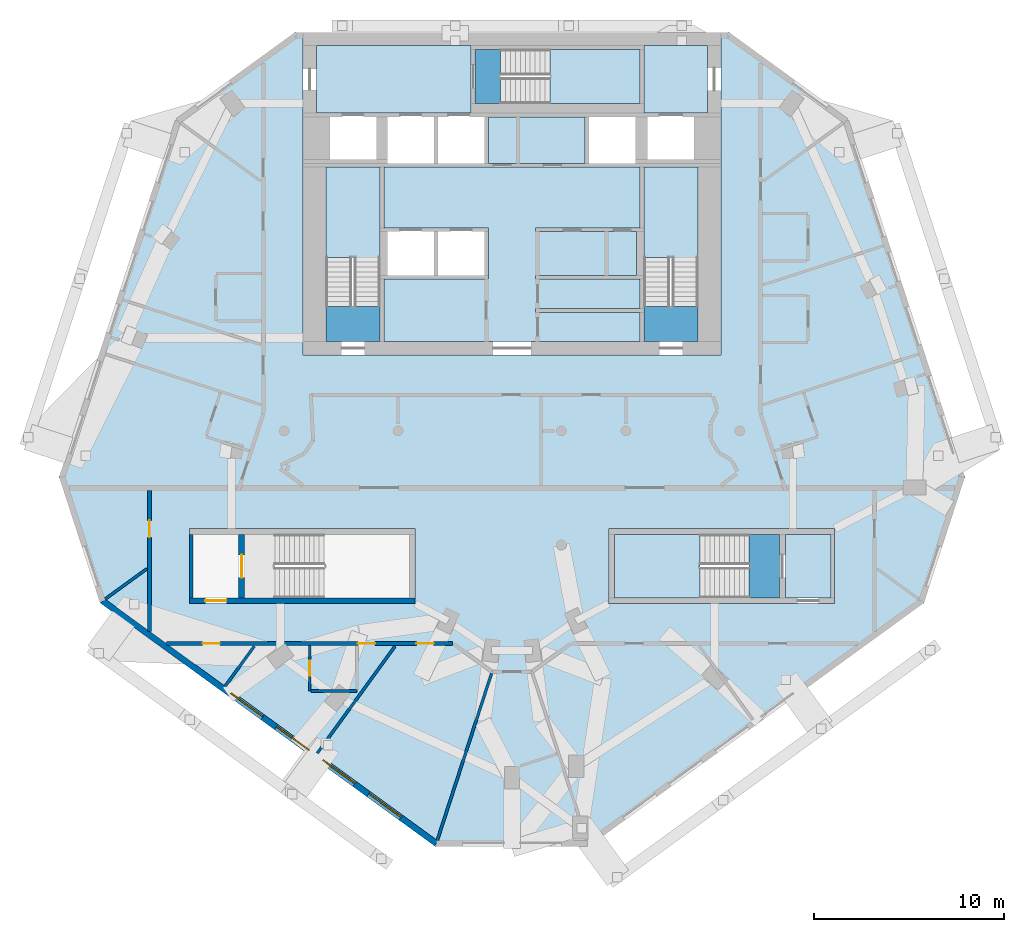
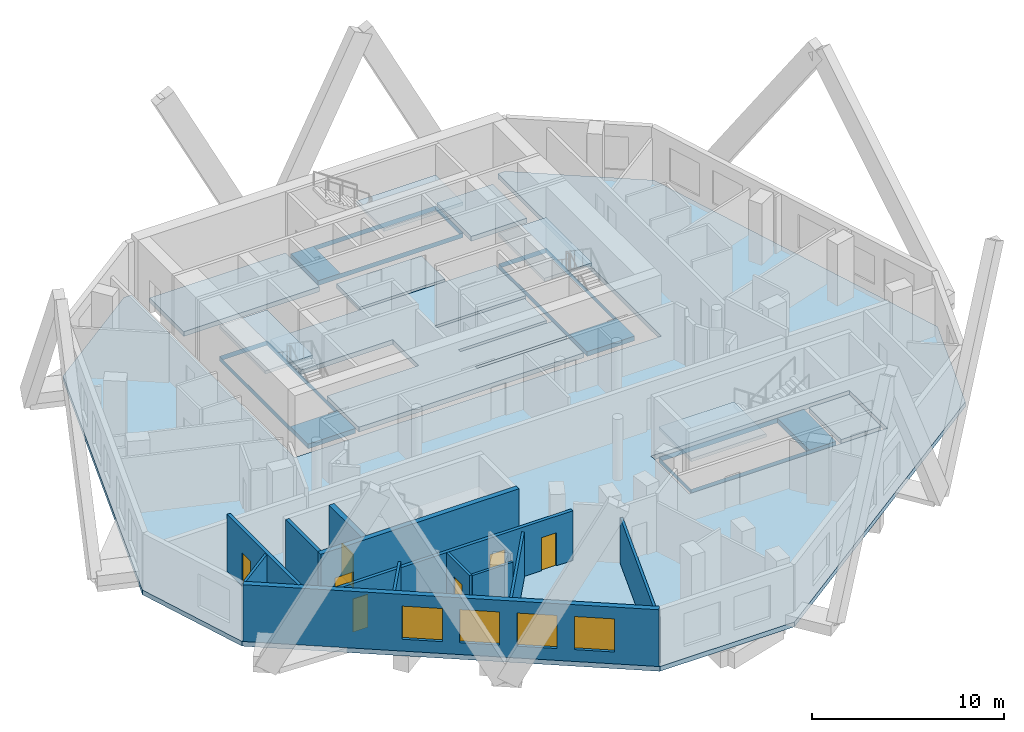
# One storey, part 3 of 10: 14 slabs, 12 walls, 7 doors, 4 windows, 11 openings, 4 elements without a shape of their own.
"""IFC4 building model written with IfcOpenShell, lengths in metres."""

from ifc_helpers import new_model, si_unit, direction, frame, frame_2d, origin, place, context, subcontext, project, spatial, polyline, rectangle, outline, extrude, material, layer, layer_set, type_object, element, fill, aggregate, save


model = new_model("IFC4")

# Units and contexts
model_context = context("Model", 3, precision=1e-05, world=origin(), true_north=direction((0.0, 1.0)))
body_context = subcontext(model_context, "Body", "Model", "MODEL_VIEW")
ifc_project = project(units=[si_unit("LENGTHUNIT", "METRE"), si_unit("AREAUNIT", "SQUARE_METRE"), si_unit("VOLUMEUNIT", "CUBIC_METRE"), si_unit("PLANEANGLEUNIT", "RADIAN"), si_unit("MASSUNIT", "GRAM", prefix="KILO")], contexts=[model_context])

# Site, building, storey
site_placement = place(None, origin())
site = spatial("IfcSite", under=ifc_project, at=site_placement, CompositionType="ELEMENT")
building_placement = place(site_placement, origin())
building = spatial("IfcBuilding", under=site, at=building_placement, Name="White Candle Pilgrim Tower", CompositionType="ELEMENT")
storey_placement = place(building_placement, frame((0.0, 0.0, 248.300048828125)))
storey = spatial("IfcBuildingStorey", under=building, at=storey_placement, Name="L58", CompositionType="ELEMENT", Elevation=248.300048828125)

# Slabs
ifc_material_1 = material(Name="Concrete C40/50", Category="concrete")
ifc_layer_1 = layer(ifc_material_1, 0.300048828125)
ifc_layer_set_1 = layer_set([ifc_layer_1], Name="Core floor slab 300 mm Concrete C40/50")
slab_type_1 = type_object("IfcSlabType", Name="Core floor slab 300 mm Concrete C40/50", PredefinedType="FLOOR", material=ifc_layer_set_1)
slab_1_placement = place(storey_placement, frame((0.0, 0.0, -0.300048828125)))
element("IfcSlab", 1, at=slab_1_placement, inside=storey, type_object=slab_type_1, Name="CF-L58-03", PredefinedType="FLOOR", context=body_context, shape_type="SweptSolid", body=[
    extrude(outline(polyline([(75.39990234375, 58.199951171875), (75.39990234375, 61.550048828125), (84.10009765625, 61.550048828125), (84.10009765625, 58.199951171875), (75.39990234375, 58.199951171875)]), holes=[polyline([(82.498046875, 61.548095703125), (75.402099609375, 61.548095703125), (75.402099609375, 58.201904296875), (82.498046875, 58.201904296875), (82.498046875, 61.548095703125)])]), origin(), (0.0, 0.0, 1.0), 0.300048828125),
])
slab_2_placement = place(storey_placement, frame((0.0, 0.0, -0.300048828125)))
element("IfcSlab", 2, at=slab_2_placement, inside=storey, type_object=slab_type_1, Name="CF-L58-04", PredefinedType="FLOOR", context=body_context, shape_type="SweptSolid", body=[
    extrude(outline(polyline([(86.800048828125, 58.199951171875), (84.39990234375, 58.199951171875), (84.39990234375, 61.550048828125), (86.800048828125, 61.550048828125), (86.800048828125, 58.199951171875)])), origin(), (0.0, 0.0, 1.0), 0.300048828125),
])
slab_3_placement = place(storey_placement, frame((0.0, 0.0, -0.300048828125)))
element("IfcSlab", 3, at=slab_3_placement, inside=storey, type_object=slab_type_1, Name="CF-L58-05", PredefinedType="FLOOR", context=body_context, shape_type="SweptSolid", body=[
    extrude(outline(polyline([(76.949951171875, 71.699951171875), (76.949951171875, 73.25), (76.949951171875, 73.449951171875), (76.949951171875, 75.0), (76.949951171875, 75.199951171875), (76.949951171875, 77.5), (76.949951171875, 77.699951171875), (76.949951171875, 80.89990234375), (79.800048828125, 80.89990234375), (79.800048828125, 71.699951171875), (76.949951171875, 71.699951171875)]), holes=[polyline([(76.951904296875, 73.552001953125), (79.798095703125, 73.552001953125), (79.798095703125, 80.89794921875), (76.951904296875, 80.89794921875), (76.951904296875, 73.552001953125)])]), origin(), (0.0, 0.0, 1.0), 0.300048828125),
])
slab_4_placement = place(storey_placement, frame((0.0, 0.0, -0.300048828125)))
element("IfcSlab", 4, at=slab_4_placement, inside=storey, type_object=slab_type_1, Name="CF-L58-06", PredefinedType="FLOOR", context=body_context, shape_type="SweptSolid", body=[
    extrude(outline(polyline([(63.25, 71.699951171875), (63.25, 75.0), (68.75, 75.0), (68.75, 75.199951171875), (68.75, 77.5), (68.75, 77.699951171875), (63.25, 77.699951171875), (63.25, 80.89990234375), (76.75, 80.89990234375), (76.75, 77.699951171875), (71.25, 77.699951171875), (71.25, 77.5), (76.550048828125, 77.5), (76.550048828125, 75.199951171875), (71.25, 75.199951171875), (71.25, 75.0), (76.75, 75.0), (76.75, 73.449951171875), (71.25, 73.449951171875), (71.25, 73.25), (76.75, 73.25), (76.75, 71.699951171875), (63.25, 71.699951171875)])), origin(), (0.0, 0.0, 1.0), 0.300048828125),
])
slab_5_placement = place(storey_placement, frame((0.0, 0.0, -0.300048828125)))
element("IfcSlab", 5, at=slab_5_placement, inside=storey, type_object=slab_type_1, Name="CF-L58-07", PredefinedType="FLOOR", context=body_context, shape_type="SweptSolid", body=[
    extrude(outline(polyline([(60.199951171875, 71.699951171875), (60.199951171875, 80.89990234375), (63.050048828125, 80.89990234375), (63.050048828125, 77.699951171875), (63.050048828125, 77.5), (63.050048828125, 75.199951171875), (63.050048828125, 75.0), (63.050048828125, 71.699951171875), (60.199951171875, 71.699951171875)]), holes=[polyline([(60.201904296875, 73.552001953125), (63.048095703125, 73.552001953125), (63.048095703125, 80.89794921875), (60.201904296875, 80.89794921875), (60.201904296875, 73.552001953125)])]), origin(), (0.0, 0.0, 1.0), 0.300048828125),
])
slab_6_placement = place(storey_placement, frame((0.0, 0.0, -0.300048828125)))
element("IfcSlab", 6, at=slab_6_placement, inside=storey, type_object=slab_type_1, Name="CF-L58-08", PredefinedType="FLOOR", context=body_context, shape_type="SweptSolid", body=[
    extrude(outline(polyline([(59.699951171875, 87.300048828125), (67.85009765625, 87.300048828125), (67.85009765625, 87.10009765625), (67.85009765625, 84.25), (67.85009765625, 83.75), (59.699951171875, 83.75), (59.699951171875, 87.300048828125)])), origin(), (0.0, 0.0, 1.0), 0.300048828125),
])
slab_7_placement = place(storey_placement, frame((0.0, 0.0, -0.300048828125)))
element("IfcSlab", 7, at=slab_7_placement, inside=storey, type_object=slab_type_1, Name="CF-L58-09", PredefinedType="FLOOR", context=body_context, shape_type="SweptSolid", body=[
    extrude(outline(polyline([(80.300048828125, 87.300048828125), (80.300048828125, 83.75), (76.949951171875, 83.75), (76.949951171875, 84.25), (76.949951171875, 87.10009765625), (76.949951171875, 87.300048828125), (80.300048828125, 87.300048828125)])), origin(), (0.0, 0.0, 1.0), 0.300048828125),
])
slab_8_placement = place(storey_placement, frame((0.0, 0.0, -0.300048828125)))
element("IfcSlab", 8, at=slab_8_placement, inside=storey, type_object=slab_type_1, Name="CF-L58-10", PredefinedType="FLOOR", context=body_context, shape_type="SweptSolid", body=[
    extrude(outline(polyline([(68.75, 81.10009765625), (68.75, 83.550048828125), (73.85009765625, 83.550048828125), (73.85009765625, 81.10009765625), (68.75, 81.10009765625)])), origin(), (0.0, 0.0, 1.0), 0.300048828125),
])
slab_9_placement = place(storey_placement, frame((0.0, 0.0, -0.300048828125)))
element("IfcSlab", 9, at=slab_9_placement, inside=storey, type_object=slab_type_1, Name="CF-L58-11", PredefinedType="FLOOR", context=body_context, shape_type="SweptSolid", body=[
    extrude(outline(polyline([(68.050048828125, 87.10009765625), (76.75, 87.10009765625), (76.75, 84.25), (68.050048828125, 84.25), (68.050048828125, 87.10009765625)]), holes=[polyline([(69.402099609375, 84.251953125), (76.748046875, 84.251953125), (76.748046875, 87.097900390625), (69.402099609375, 87.097900390625), (69.402099609375, 84.251953125)])]), origin(), (0.0, 0.0, 1.0), 0.300048828125),
])
ifc_layer_2 = layer(ifc_material_1, 0.300048828125)
ifc_layer_set_2 = layer_set([ifc_layer_2], Name="Floor slab 300 REI 240")
slab_type_2 = type_object("IfcSlabType", Name="Floor slab 300 REI 240", PredefinedType="FLOOR", material=ifc_layer_set_2)
slab_10_placement = place(storey_placement, frame((0.0, 0.0, -0.300048828125)))
element("IfcSlab", 10, at=slab_10_placement, inside=storey, type_object=slab_type_2, Name="L58 floor slab", PredefinedType="FLOOR", context=body_context, shape_type="SweptSolid", body=[
    extrude(outline(polyline([(65.959228515625, 45.106689453125), (74.040771484375, 45.106689453125), (91.706298828125, 57.94140625), (93.85986328125, 64.569091796875), (87.73291015625, 83.42578125), (81.43701171875, 88.0), (81.0, 88.0), (81.0, 71.0), (59.0, 71.0), (59.0, 88.0), (58.56298828125, 88.0), (52.26708984375, 83.42578125), (46.14013671875, 64.569091796875), (48.293701171875, 57.94140625), (65.959228515625, 45.106689453125)]), holes=[polyline([(53.0, 57.89990234375), (53.0, 61.85009765625), (64.89990234375, 61.85009765625), (64.89990234375, 57.89990234375), (53.0, 57.89990234375)]), polyline([(75.10009765625, 57.89990234375), (75.10009765625, 61.85009765625), (87.0, 61.85009765625), (87.0, 57.89990234375), (75.10009765625, 57.89990234375)])]), origin(), (0.0, 0.0, 1.0), 0.300048828125),
])

# Stair, slab
stair_type_1 = type_object("IfcStairType", Name="Exit stair 1 flight width 1350 mm", PredefinedType="HALF_TURN_STAIR", material=ifc_material_1)
stair_1_placement = place(storey_placement, origin())
stair_1 = element("IfcStair", 11, at=stair_1_placement, inside=storey, type_object=stair_type_1, Name="L58 stair 1", PredefinedType="NOTDEFINED")
ifc_layer_3 = layer(ifc_material_1, 0.199951171875)
ifc_layer_set_3 = layer_set([ifc_layer_3], Name="Stair landing Concrete C40/50")
slab_type_3 = type_object("IfcSlabType", Name="Stair landing Concrete C40/50", PredefinedType="LANDING", material=ifc_layer_set_3)
slab_11_placement = place(storey_placement, frame((0.0, 0.0, 1.75)))
slab_11 = element("IfcSlab", 12, at=slab_11_placement, type_object=slab_type_3, Name="ST1 landing 1", PredefinedType="LANDING", context=body_context, shape_type="SweptSolid", body=[
    extrude(outline(polyline([(63.052001953125, 76.14794921875), (60.197998046875, 76.14794921875), (60.197998046875, 80.902099609375), (63.052001953125, 80.902099609375), (63.052001953125, 76.14794921875)])), origin(), (0.0, 0.0, 1.0), 0.199951171875),
])
aggregate(stair_1, [slab_11])

stair_type_2 = type_object("IfcStairType", Name="Exit stair 2 flight width 1350 mm", PredefinedType="HALF_TURN_STAIR", material=ifc_material_1)
stair_2_placement = place(storey_placement, origin())
stair_2 = element("IfcStair", 13, at=stair_2_placement, inside=storey, type_object=stair_type_2, Name="L58 stair 2", PredefinedType="NOTDEFINED")
slab_12_placement = place(storey_placement, frame((0.0, 0.0, 1.75)))
slab_12 = element("IfcSlab", 14, at=slab_12_placement, type_object=slab_type_3, Name="ST2 landing 1", PredefinedType="LANDING", context=body_context, shape_type="SweptSolid", body=[
    extrude(outline(polyline([(79.802001953125, 76.14794921875), (76.947998046875, 76.14794921875), (76.947998046875, 80.902099609375), (79.802001953125, 80.902099609375), (79.802001953125, 76.14794921875)])), origin(), (0.0, 0.0, 1.0), 0.199951171875),
])
aggregate(stair_2, [slab_12])

stair_type_3 = type_object("IfcStairType", Name="Exit stair 3 flight width 1350 mm", PredefinedType="HALF_TURN_STAIR", material=ifc_material_1)
stair_3_placement = place(storey_placement, origin())
stair_3 = element("IfcStair", 15, at=stair_3_placement, inside=storey, type_object=stair_type_3, Name="L58 stair 3", PredefinedType="NOTDEFINED")
slab_13_placement = place(storey_placement, frame((0.0, 0.0, 1.75)))
slab_13 = element("IfcSlab", 16, at=slab_13_placement, type_object=slab_type_3, Name="ST3 landing 1", PredefinedType="LANDING", context=body_context, shape_type="SweptSolid", body=[
    extrude(outline(polyline([(71.998046875, 84.248046875), (71.998046875, 87.10205078125), (76.751953125, 87.10205078125), (76.751953125, 84.248046875), (71.998046875, 84.248046875)])), origin(), (0.0, 0.0, 1.0), 0.199951171875),
])
aggregate(stair_3, [slab_13])

stair_type_4 = type_object("IfcStairType", Name="Exit stair 4 flight width 1600 mm", PredefinedType="HALF_TURN_STAIR", material=ifc_material_1)
stair_4_placement = place(storey_placement, origin())
stair_4 = element("IfcStair", 17, at=stair_4_placement, inside=storey, type_object=stair_type_4, Name="L58 stair 4", PredefinedType="NOTDEFINED")
slab_14_placement = place(storey_placement, frame((0.0, 0.0, 1.75)))
slab_14 = element("IfcSlab", 18, at=slab_14_placement, type_object=slab_type_3, Name="ST4 landing 1", PredefinedType="LANDING", context=body_context, shape_type="SweptSolid", body=[
    extrude(outline(polyline([(79.902099609375, 61.552001953125), (79.902099609375, 58.197998046875), (75.39794921875, 58.197998046875), (75.39794921875, 61.552001953125), (79.902099609375, 61.552001953125)])), origin(), (0.0, 0.0, 1.0), 0.199951171875),
])
aggregate(stair_4, [slab_14])

# Wall
ifc_material_2 = material(Name="Concrete C50/60", Category="concrete")
ifc_layer_4 = layer(ifc_material_2, 0.199951171875)
ifc_layer_set_4 = layer_set([ifc_layer_4], Name="Core wall 200 mm Concrete C50/60")
wall_type_1 = type_object("IfcWallType", Name="Core wall 200 mm Concrete C50/60", PredefinedType="SHEAR", material=ifc_layer_set_4)
wall_1_placement = place(storey_placement, frame((53.10009765625, 58.199951171875, 0.0), z_axis=(0.0, 0.0, 1.0), x_axis=(0.0, 1.0, 0.0)))
element("IfcWall", 19, at=wall_1_placement, inside=storey, type_object=wall_type_1, Name="WL-L58-C03", PredefinedType="SHEAR", context=body_context, shape_type="SweptSolid", body=[
    extrude(rectangle(XDim=3.35009765625, YDim=0.199951171875, at=frame_2d((1.675048828125, 0.0))), origin(), (0.0, 0.0, 1.0), 3.89990234375),
])

# Wall, openings, doors
ifc_material_3 = material(Name="Gypsum board on steel studs", Category="steel")
ifc_layer_5 = layer(ifc_material_3, 0.199951171875)
ifc_layer_set_5 = layer_set([ifc_layer_5], Name="Corridor wall 200 mm EI 45")
wall_type_2 = type_object("IfcWallType", Name="Corridor wall 200 mm EI 45", PredefinedType="PARTITIONING", material=ifc_layer_set_5)
wall_2_placement = place(storey_placement, frame((66.860595703125, 55.800048828125, 0.0), z_axis=(0.0, 0.0, 1.0), x_axis=(-1.0, 0.0, 0.0)))
wall_2 = element("IfcWall", 20, at=wall_2_placement, inside=storey, type_object=wall_type_2, Name="WL-L58-P011", PredefinedType="PARTITIONING", context=body_context, shape_type="SweptSolid", body=[
    extrude(rectangle(XDim=15.074951171875, YDim=0.199951171875, at=frame_2d((7.53759765625, 0.0))), origin(), (0.0, 0.0, 1.0), 3.14990234375),
])
opening_1_placement = place(wall_2_placement, frame((12.25537109375, 0.0, 0.0)))
opening_1 = element("IfcOpeningElement", 21, at=opening_1_placement, cuts=wall_2, Name="Opening T18-104", PredefinedType="OPENING", context=body_context, shape_type="SweptSolid", body=[
    extrude(rectangle(XDim=0.89990234375, YDim=2.10009765625, at=frame_2d((0.449951171875, 1.050048828125))), frame((0.0, 0.10986328125, 0.0), z_axis=(0.0, -1.0, 0.0), x_axis=(1.0, 0.0, 0.0)), (0.0, 0.0, 1.0), 0.219970703125),
])
opening_2_placement = place(wall_2_placement, frame((4.07763671875, 0.0, 0.0)))
opening_2 = element("IfcOpeningElement", 22, at=opening_2_placement, cuts=wall_2, Name="Opening T18-106", PredefinedType="OPENING", context=body_context, shape_type="SweptSolid", body=[
    extrude(rectangle(XDim=0.89990234375, YDim=2.10009765625, at=frame_2d((0.449951171875, 1.050048828125))), frame((0.0, 0.10986328125, 0.0), z_axis=(0.0, -1.0, 0.0), x_axis=(1.0, 0.0, 0.0)), (0.0, 0.0, 1.0), 0.219970703125),
])
opening_3_placement = place(wall_2_placement, frame((0.993408203125, 0.0, 0.0)))
opening_3 = element("IfcOpeningElement", 23, at=opening_3_placement, cuts=wall_2, Name="Opening T18-107", PredefinedType="OPENING", context=body_context, shape_type="SweptSolid", body=[
    extrude(rectangle(XDim=0.89990234375, YDim=2.10009765625, at=frame_2d((0.449951171875, 1.050048828125))), frame((0.0, 0.10986328125, 0.0), z_axis=(0.0, -1.0, 0.0), x_axis=(1.0, 0.0, 0.0)), (0.0, 0.0, 1.0), 0.219970703125),
])
ifc_material_4 = material(Name="Steel door leaf", Category="steel")
door_type_1 = type_object("IfcDoorType", Name="Fire door 900 x 2100 EI 30", OperationType="NOTDEFINED", PredefinedType="DOOR", material=ifc_material_4)
door_1_placement = place(opening_1_placement, origin())
door_1 = element("IfcDoor", 24, at=door_1_placement, inside=storey, type_object=door_type_1, Name="Door T18-104", OperationType="SINGLE_SWING_RIGHT", OverallHeight=2.10009765625, OverallWidth=0.89990234375, PredefinedType="DOOR", context=body_context, shape_type="SweptSolid", body=[
    extrude(rectangle(XDim=0.89990234375, YDim=2.10009765625, at=frame_2d((0.449951171875, 1.050048828125))), frame((0.0, 0.02490234375, 0.0), z_axis=(0.0, -1.0, 0.0), x_axis=(1.0, 0.0, 0.0)), (0.0, 0.0, 1.0), 0.050048828125),
])
fill(opening_1, door_1)
door_2_placement = place(opening_2_placement, origin())
door_2 = element("IfcDoor", 25, at=door_2_placement, inside=storey, type_object=door_type_1, Name="Door T18-106", OperationType="SINGLE_SWING_RIGHT", OverallHeight=2.10009765625, OverallWidth=0.89990234375, PredefinedType="DOOR", context=body_context, shape_type="SweptSolid", body=[
    extrude(rectangle(XDim=0.89990234375, YDim=2.10009765625, at=frame_2d((0.449951171875, 1.050048828125))), frame((0.0, 0.02490234375, 0.0), z_axis=(0.0, -1.0, 0.0), x_axis=(1.0, 0.0, 0.0)), (0.0, 0.0, 1.0), 0.050048828125),
])
fill(opening_2, door_2)
door_3_placement = place(opening_3_placement, origin())
door_3 = element("IfcDoor", 26, at=door_3_placement, inside=storey, type_object=door_type_1, Name="Door T18-107", OperationType="SINGLE_SWING_LEFT", OverallHeight=2.10009765625, OverallWidth=0.89990234375, PredefinedType="DOOR", context=body_context, shape_type="SweptSolid", body=[
    extrude(rectangle(XDim=0.89990234375, YDim=2.10009765625, at=frame_2d((0.449951171875, 1.050048828125))), frame((0.0, 0.02490234375, 0.0), z_axis=(0.0, -1.0, 0.0), x_axis=(1.0, 0.0, 0.0)), (0.0, 0.0, 1.0), 0.050048828125),
])
fill(opening_3, door_3)

# Wall, opening, door
wall_3_placement = place(storey_placement, frame((50.89990234375, 56.443359375, 0.0), z_axis=(0.0, 0.0, 1.0), x_axis=(0.0, 1.0, 0.0)))
wall_3 = element("IfcWall", 27, at=wall_3_placement, inside=storey, type_object=wall_type_2, Name="WL-L58-P012", PredefinedType="PARTITIONING", context=body_context, shape_type="SweptSolid", body=[
    extrude(rectangle(XDim=7.40673828125, YDim=0.199951171875, at=frame_2d((3.703369140625, 0.0))), origin(), (0.0, 0.0, 1.0), 3.599853515625),
])
opening_4_placement = place(wall_3_placement, frame((4.94921875, 0.0, 0.0)))
opening_4 = element("IfcOpeningElement", 28, at=opening_4_placement, cuts=wall_3, Name="Opening T18-103", PredefinedType="OPENING", context=body_context, shape_type="SweptSolid", body=[
    extrude(rectangle(XDim=0.89990234375, YDim=2.10009765625, at=frame_2d((0.449951171875, 1.050048828125))), frame((0.0, 0.10986328125, 0.0), z_axis=(0.0, -1.0, 0.0), x_axis=(1.0, 0.0, 0.0)), (0.0, 0.0, 1.0), 0.219970703125),
])
door_4_placement = place(opening_4_placement, origin())
door_4 = element("IfcDoor", 29, at=door_4_placement, inside=storey, type_object=door_type_1, Name="Door T18-103", OperationType="SINGLE_SWING_LEFT", OverallHeight=2.10009765625, OverallWidth=0.89990234375, PredefinedType="DOOR", context=body_context, shape_type="SweptSolid", body=[
    extrude(rectangle(XDim=0.89990234375, YDim=2.10009765625, at=frame_2d((0.449951171875, 1.050048828125))), frame((0.0, 0.02490234375, 0.0), z_axis=(0.0, -1.0, 0.0), x_axis=(1.0, 0.0, 0.0)), (0.0, 0.0, 1.0), 0.050048828125),
])
fill(opening_4, door_4)

# Wall, openings, windows
ifc_material_5 = material(Name="Precast concrete C40/50", Category="concrete")
ifc_layer_6 = layer(ifc_material_5, 0.320068359375)
ifc_layer_set_6 = layer_set([ifc_layer_6], Name="Facade wall EW1 precast concrete C40/50 pier wall with timber-lined reveals")
wall_type_3 = type_object("IfcWallType", Name="Facade wall EW1 precast concrete C40/50 pier wall with timber-lined reveals", PredefinedType="SOLIDWALL", material=ifc_layer_set_6)
wall_4_placement = place(storey_placement, frame((48.4296875, 58.040283203125, 0.0), z_axis=(0.0, 0.0, 1.0), x_axis=(0.809018242367, -0.587783534575, 0.0)))
wall_4 = element("IfcWall", 30, at=wall_4_placement, inside=storey, type_object=wall_type_3, Name="Facade wall L58 SW", PredefinedType="SOLIDWALL", context=body_context, shape_type="SweptSolid", body=[
    extrude(rectangle(XDim=21.73193359375, YDim=0.320068359375, at=frame_2d((10.865966796875, 0.0))), origin(), (0.0, 0.0, 1.0), 3.599853515625),
])
opening_5_placement = place(wall_4_placement, frame((8.31591796875, 0.0, 0.75)))
opening_5 = element("IfcOpeningElement", 31, at=opening_5_placement, cuts=wall_4, Name="Opening W3", PredefinedType="OPENING", context=body_context, shape_type="SweptSolid", body=[
    extrude(rectangle(XDim=2.10009765625, YDim=2.10009765625, at=frame_2d((1.050048828125, 1.050048828125))), frame((0.0, 0.169921875, 0.0), z_axis=(0.0, -1.0, 0.0), x_axis=(1.0, 0.0, 0.0)), (0.0, 0.0, 1.0), 0.340087890625),
])
opening_6_placement = place(wall_4_placement, frame((11.31591796875, 0.0, 0.75)))
opening_6 = element("IfcOpeningElement", 32, at=opening_6_placement, cuts=wall_4, Name="Opening W3", PredefinedType="OPENING", context=body_context, shape_type="SweptSolid", body=[
    extrude(rectangle(XDim=2.10009765625, YDim=2.10009765625, at=frame_2d((1.050048828125, 1.050048828125))), frame((0.0, 0.169921875, 0.0), z_axis=(0.0, -1.0, 0.0), x_axis=(1.0, 0.0, 0.0)), (0.0, 0.0, 1.0), 0.340087890625),
])
opening_7_placement = place(wall_4_placement, frame((14.31591796875, 0.0, 0.75)))
opening_7 = element("IfcOpeningElement", 33, at=opening_7_placement, cuts=wall_4, Name="Opening W3", PredefinedType="OPENING", context=body_context, shape_type="SweptSolid", body=[
    extrude(rectangle(XDim=2.10009765625, YDim=2.10009765625, at=frame_2d((1.050048828125, 1.050048828125))), frame((0.0, 0.169921875, 0.0), z_axis=(0.0, -1.0, 0.0), x_axis=(1.0, 0.0, 0.0)), (0.0, 0.0, 1.0), 0.340087890625),
])
opening_8_placement = place(wall_4_placement, frame((17.31591796875, 0.0, 0.75)))
opening_8 = element("IfcOpeningElement", 34, at=opening_8_placement, cuts=wall_4, Name="Opening W3", PredefinedType="OPENING", context=body_context, shape_type="SweptSolid", body=[
    extrude(rectangle(XDim=2.10009765625, YDim=2.10009765625, at=frame_2d((1.050048828125, 1.050048828125))), frame((0.0, 0.169921875, 0.0), z_axis=(0.0, -1.0, 0.0), x_axis=(1.0, 0.0, 0.0)), (0.0, 0.0, 1.0), 0.340087890625),
])
ifc_material_6 = material(Name="Timber frame with triple glazing", Category="wood")
window_type = type_object("IfcWindowType", Name="Window W3 2100x2100 timber frame triple glazing", PartitioningType="SINGLE_PANEL", PredefinedType="WINDOW", material=ifc_material_6)
window_1_placement = place(opening_5_placement, origin())
window_1 = element("IfcWindow", 35, at=window_1_placement, inside=storey, type_object=window_type, Name="Window W3 L58 SW 3", OverallHeight=2.10009765625, OverallWidth=2.10009765625, PartitioningType="SINGLE_PANEL", PredefinedType="WINDOW", context=body_context, shape_type="SweptSolid", body=[
    extrude(rectangle(XDim=2.10009765625, YDim=2.10009765625, at=frame_2d((1.050048828125, 1.050048828125))), frame((0.0, 0.070068359375, 0.0), z_axis=(0.0, -1.0, 0.0), x_axis=(1.0, 0.0, 0.0)), (0.0, 0.0, 1.0), 0.06005859375),
])
fill(opening_5, window_1)
window_2_placement = place(opening_6_placement, origin())
window_2 = element("IfcWindow", 36, at=window_2_placement, inside=storey, type_object=window_type, Name="Window W3 L58 SW 4", OverallHeight=2.10009765625, OverallWidth=2.10009765625, PartitioningType="SINGLE_PANEL", PredefinedType="WINDOW", context=body_context, shape_type="SweptSolid", body=[
    extrude(rectangle(XDim=2.10009765625, YDim=2.10009765625, at=frame_2d((1.050048828125, 1.050048828125))), frame((0.0, 0.070068359375, 0.0), z_axis=(0.0, -1.0, 0.0), x_axis=(1.0, 0.0, 0.0)), (0.0, 0.0, 1.0), 0.06005859375),
])
fill(opening_6, window_2)
window_3_placement = place(opening_7_placement, origin())
window_3 = element("IfcWindow", 37, at=window_3_placement, inside=storey, type_object=window_type, Name="Window W3 L58 SW 5", OverallHeight=2.10009765625, OverallWidth=2.10009765625, PartitioningType="SINGLE_PANEL", PredefinedType="WINDOW", context=body_context, shape_type="SweptSolid", body=[
    extrude(rectangle(XDim=2.10009765625, YDim=2.10009765625, at=frame_2d((1.050048828125, 1.050048828125))), frame((0.0, 0.070068359375, 0.0), z_axis=(0.0, -1.0, 0.0), x_axis=(1.0, 0.0, 0.0)), (0.0, 0.0, 1.0), 0.06005859375),
])
fill(opening_7, window_3)
window_4_placement = place(opening_8_placement, origin())
window_4 = element("IfcWindow", 38, at=window_4_placement, inside=storey, type_object=window_type, Name="Window W3 L58 SW 6", OverallHeight=2.10009765625, OverallWidth=2.10009765625, PartitioningType="SINGLE_PANEL", PredefinedType="WINDOW", context=body_context, shape_type="SweptSolid", body=[
    extrude(rectangle(XDim=2.10009765625, YDim=2.10009765625, at=frame_2d((1.050048828125, 1.050048828125))), frame((0.0, 0.070068359375, 0.0), z_axis=(0.0, -1.0, 0.0), x_axis=(1.0, 0.0, 0.0)), (0.0, 0.0, 1.0), 0.06005859375),
])
fill(opening_8, window_4)

# Walls
ifc_layer_7 = layer(ifc_material_3, 0.14990234375)
ifc_layer_set_7 = layer_set([ifc_layer_7], Name="Partition 150 mm EI 60")
wall_type_4 = type_object("IfcWallType", Name="Partition 150 mm EI 60", PredefinedType="PARTITIONING", material=ifc_layer_set_7)
wall_5_placement = place(storey_placement, frame((48.56591796875, 58.13916015625, 0.0), z_axis=(0.0, 0.0, 1.0), x_axis=(0.808977814749, 0.587839174642, 0.0)))
element("IfcWall", 39, at=wall_5_placement, inside=storey, type_object=wall_type_4, Name="WL-L58-P026", PredefinedType="PARTITIONING", context=body_context, shape_type="SweptSolid", body=[
    extrude(rectangle(XDim=2.70703125, YDim=0.14990234375, at=frame_2d((1.353515625, 0.0))), origin(), (0.0, 0.0, 1.0), 3.599853515625),
])
wall_6_placement = place(storey_placement, frame((66.063232421875, 45.4267578125, 0.0), z_axis=(0.0, 0.0, 1.0), x_axis=(0.309006712512, 0.951059857014, 0.0)))
element("IfcWall", 40, at=wall_6_placement, inside=storey, type_object=wall_type_4, Name="WL-L58-P027", PredefinedType="PARTITIONING", context=body_context, shape_type="SweptSolid", body=[
    extrude(rectangle(XDim=9.251953125, YDim=0.14990234375, at=frame_2d((4.6259765625, 0.0))), origin(), (0.0, 0.0, 1.0), 2.89990234375),
])
wall_7_placement = place(storey_placement, frame((54.887451171875, 53.54638671875, 0.0), z_axis=(0.0, 0.0, 1.0), x_axis=(0.587781944183, 0.809019397847, 0.0)))
element("IfcWall", 41, at=wall_7_placement, inside=storey, type_object=wall_type_4, Name="WL-L58-P038", PredefinedType="PARTITIONING", context=body_context, shape_type="SweptSolid", body=[
    extrude(rectangle(XDim=2.607666015625, YDim=0.14990234375, at=frame_2d((1.3037109375, 0.0))), origin(), (0.0, 0.0, 1.0), 3.599853515625),
])
wall_8_placement = place(storey_placement, frame((59.74169921875, 50.01953125, 0.0), z_axis=(0.0, 0.0, 1.0), x_axis=(0.587769487479, 0.809028447948, 0.0)))
element("IfcWall", 42, at=wall_8_placement, inside=storey, type_object=wall_type_4, Name="WL-L58-P039", PredefinedType="PARTITIONING", context=body_context, shape_type="SweptSolid", body=[
    extrude(rectangle(XDim=6.967041015625, YDim=0.14990234375, at=frame_2d((3.4833984375, 0.0))), origin(), (0.0, 0.0, 1.0), 2.89990234375),
])

# Wall, opening, door
wall_9_placement = place(storey_placement, frame((59.34130859375, 55.699951171875, 0.0), z_axis=(0.0, 0.0, 1.0), x_axis=(0.0, -1.0, 0.0)))
wall_9 = element("IfcWall", 43, at=wall_9_placement, inside=storey, type_object=wall_type_4, Name="WL-L58-P040", PredefinedType="PARTITIONING", context=body_context, shape_type="SweptSolid", body=[
    extrude(rectangle(XDim=2.39990234375, YDim=0.14990234375, at=frame_2d((1.199951171875, 0.0))), origin(), (0.0, 0.0, 1.0), 3.14990234375),
])
opening_9_placement = place(wall_9_placement, frame((0.800048828125, 0.0, 0.0)))
opening_9 = element("IfcOpeningElement", 44, at=opening_9_placement, cuts=wall_9, Name="Opening T18-105", PredefinedType="OPENING", context=body_context, shape_type="SweptSolid", body=[
    extrude(rectangle(XDim=0.800048828125, YDim=2.10009765625, at=frame_2d((0.39990234375, 1.050048828125))), frame((0.0, 0.0849609375, 0.0), z_axis=(0.0, -1.0, 0.0), x_axis=(1.0, 0.0, 0.0)), (0.0, 0.0, 1.0), 0.169921875),
])
door_type_2 = type_object("IfcDoorType", Name="Fire door 800 x 2100 EI 30", OperationType="NOTDEFINED", PredefinedType="DOOR", material=ifc_material_4)
door_5_placement = place(opening_9_placement, frame((0.800048828125, 0.0, 0.0), z_axis=(0.0, 0.0, 1.0), x_axis=(-1.0, 0.0, 0.0)))
door_5 = element("IfcDoor", 45, at=door_5_placement, inside=storey, type_object=door_type_2, Name="Door T18-105", OperationType="SINGLE_SWING_RIGHT", OverallHeight=2.10009765625, OverallWidth=0.800048828125, PredefinedType="DOOR", context=body_context, shape_type="SweptSolid", body=[
    extrude(rectangle(XDim=0.800048828125, YDim=2.10009765625, at=frame_2d((0.39990234375, 1.050048828125))), frame((0.0, 0.02490234375, 0.0), z_axis=(0.0, -1.0, 0.0), x_axis=(1.0, 0.0, 0.0)), (0.0, 0.0, 1.0), 0.050048828125),
])
fill(opening_9, door_5)

# Wall
wall_10_placement = place(storey_placement, frame((61.84130859375, 53.300048828125, 0.0), z_axis=(0.0, 0.0, 1.0), x_axis=(-1.0, 0.0, 0.0)))
element("IfcWall", 46, at=wall_10_placement, inside=storey, type_object=wall_type_4, Name="WL-L58-P041", PredefinedType="PARTITIONING", context=body_context, shape_type="SweptSolid", body=[
    extrude(rectangle(XDim=2.425048828125, YDim=0.14990234375, at=frame_2d((1.21240234375, 0.0))), origin(), (0.0, 0.0, 1.0), 3.14990234375),
])

# Wall, opening, door
ifc_layer_8 = layer(ifc_material_2, 0.300048828125)
ifc_layer_set_8 = layer_set([ifc_layer_8], Name="Stair shaft wall 300 mm Concrete C50/60")
wall_type_5 = type_object("IfcWallType", Name="Stair shaft wall 300 mm Concrete C50/60", PredefinedType="SHEAR", material=ifc_layer_set_8)
wall_11_placement = place(storey_placement, frame((53.0, 58.050048828125, 0.0), z_axis=(0.0, 0.0, 1.0), x_axis=(1.0, 0.0, 0.0)))
wall_11 = element("IfcWall", 47, at=wall_11_placement, inside=storey, type_object=wall_type_5, Name="WL-L58-C01", PredefinedType="SHEAR", context=body_context, shape_type="SweptSolid", body=[
    extrude(rectangle(XDim=11.89990234375, YDim=0.300048828125, at=frame_2d((5.949951171875, 0.0))), origin(), (0.0, 0.0, 1.0), 3.89990234375),
])
opening_10_placement = place(wall_11_placement, frame((0.85009765625, 0.0, 0.0)))
opening_10 = element("IfcOpeningElement", 48, at=opening_10_placement, cuts=wall_11, Name="Opening T18-010", PredefinedType="OPENING", context=body_context, shape_type="SweptSolid", body=[
    extrude(rectangle(XDim=1.10009765625, YDim=2.10009765625, at=frame_2d((0.550048828125, 1.050048828125))), frame((0.0, 0.159912109375, 0.0), z_axis=(0.0, -1.0, 0.0), x_axis=(1.0, 0.0, 0.0)), (0.0, 0.0, 1.0), 0.320068359375),
])
door_type_3 = type_object("IfcDoorType", Name="Fire door 1100 x 2100 EI 60", OperationType="NOTDEFINED", PredefinedType="DOOR", material=ifc_material_4)
door_6_placement = place(opening_10_placement, origin())
door_6 = element("IfcDoor", 49, at=door_6_placement, inside=storey, type_object=door_type_3, Name="Door T18-010", OperationType="SINGLE_SWING_RIGHT", OverallHeight=2.10009765625, OverallWidth=1.10009765625, PredefinedType="DOOR", context=body_context, shape_type="SweptSolid", body=[
    extrude(rectangle(XDim=1.10009765625, YDim=2.10009765625, at=frame_2d((0.550048828125, 1.050048828125))), frame((0.0, 0.02490234375, 0.0), z_axis=(0.0, -1.0, 0.0), x_axis=(1.0, 0.0, 0.0)), (0.0, 0.0, 1.0), 0.050048828125),
])
fill(opening_10, door_6)

wall_12_placement = place(storey_placement, frame((55.75, 58.199951171875, 0.0), z_axis=(0.0, 0.0, 1.0), x_axis=(0.0, 1.0, 0.0)))
wall_12 = element("IfcWall", 50, at=wall_12_placement, inside=storey, type_object=wall_type_5, Name="WL-L58-C04", PredefinedType="SHEAR", context=body_context, shape_type="SweptSolid", body=[
    extrude(rectangle(XDim=3.35009765625, YDim=0.300048828125, at=frame_2d((1.675048828125, 0.0))), origin(), (0.0, 0.0, 1.0), 3.89990234375),
])
opening_11_placement = place(wall_12_placement, frame((1.074951171875, 0.0, 0.0)))
opening_11 = element("IfcOpeningElement", 51, at=opening_11_placement, cuts=wall_12, Name="Opening T18-011", PredefinedType="OPENING", context=body_context, shape_type="SweptSolid", body=[
    extrude(rectangle(XDim=1.199951171875, YDim=2.10009765625, at=frame_2d((0.60009765625, 1.050048828125))), frame((0.0, 0.159912109375, 0.0), z_axis=(0.0, -1.0, 0.0), x_axis=(1.0, 0.0, 0.0)), (0.0, 0.0, 1.0), 0.320068359375),
])
door_type_4 = type_object("IfcDoorType", Name="Fire door 1200 x 2100 EI 60", OperationType="NOTDEFINED", PredefinedType="DOOR", material=ifc_material_4)
door_7_placement = place(opening_11_placement, frame((1.199951171875, 0.0, 0.0), z_axis=(0.0, 0.0, 1.0), x_axis=(-1.0, 0.0, 0.0)))
door_7 = element("IfcDoor", 52, at=door_7_placement, inside=storey, type_object=door_type_4, Name="Door T18-011", OperationType="SINGLE_SWING_RIGHT", OverallHeight=2.10009765625, OverallWidth=1.199951171875, PredefinedType="DOOR", context=body_context, shape_type="SweptSolid", body=[
    extrude(rectangle(XDim=1.199951171875, YDim=2.10009765625, at=frame_2d((0.60009765625, 1.050048828125))), frame((0.0, 0.02490234375, 0.0), z_axis=(0.0, -1.0, 0.0), x_axis=(1.0, 0.0, 0.0)), (0.0, 0.0, 1.0), 0.050048828125),
])
fill(opening_11, door_7)

save(model, "model.ifc")
